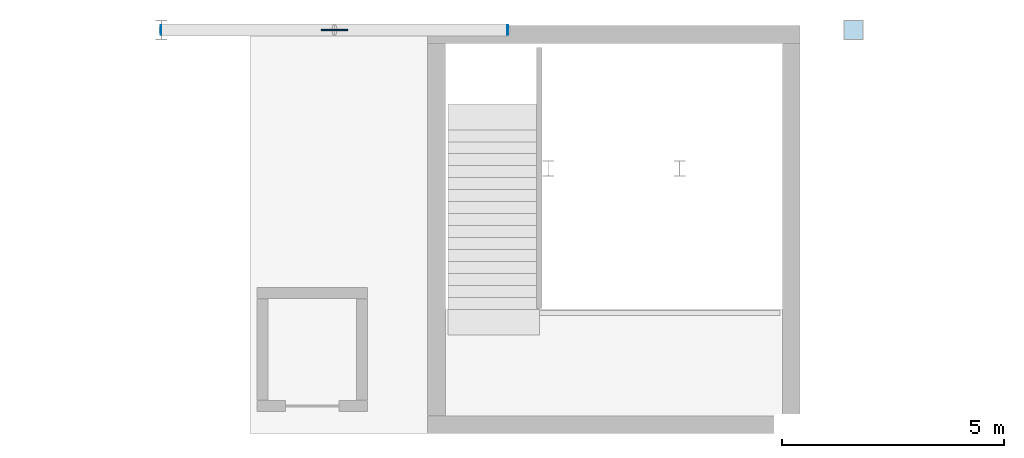
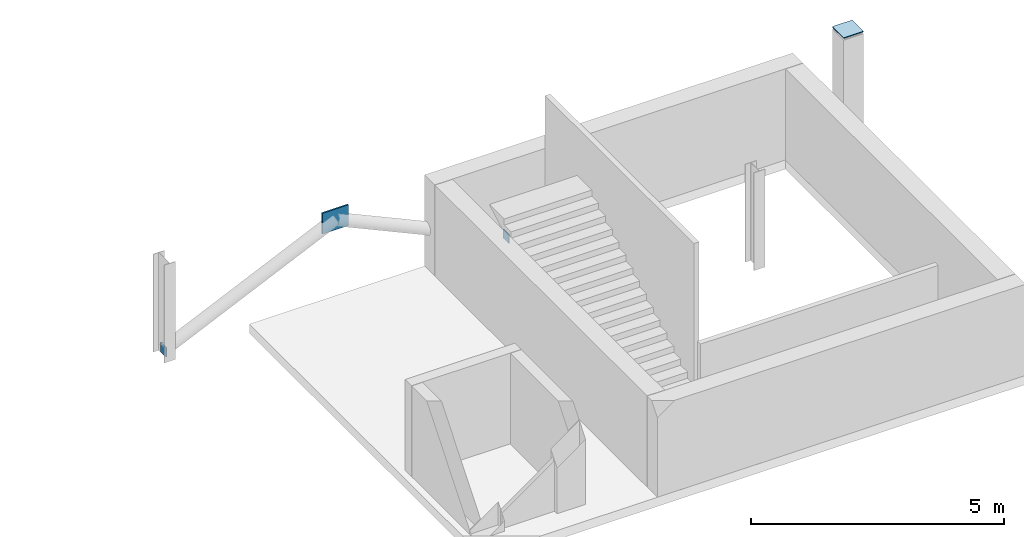
# One storey, part 10 of 12: 4 plates.
"""IFC4 building model written with IfcOpenShell, lengths in metres."""

from ifc_helpers import new_model, si_unit, derived_unit, direction, frame, origin, origin_2d, place, context, subcontext, project, spatial, rectangle, extrude, material, layer, layer_set, type_object, element, save


model = new_model("IFC4")

# Units and contexts
model_context = context("Model", 3, precision=1e-05, world=origin(), true_north=direction((0.0, 1.0)))
body_context = subcontext(model_context, "Body", "Model", "MODEL_VIEW")
ifc_project = project(units=[si_unit("LENGTHUNIT", "METRE"), si_unit("AREAUNIT", "SQUARE_METRE"), si_unit("VOLUMEUNIT", "CUBIC_METRE"), si_unit("PLANEANGLEUNIT", "RADIAN"), si_unit("MASSUNIT", "GRAM", prefix="KILO"), derived_unit("THERMALTRANSMITTANCEUNIT", [(si_unit("POWERUNIT", "WATT"), 1), (si_unit("LENGTHUNIT", "METRE"), -2), (si_unit("THERMODYNAMICTEMPERATUREUNIT", "KELVIN"), -1)])], contexts=[model_context])

# Site, building, storey
site_placement = place(None, origin())
site = spatial("IfcSite", under=ifc_project, at=site_placement, CompositionType="ELEMENT")
building_placement = place(site_placement, origin())
building = spatial("IfcBuilding", under=site, at=building_placement, Name="Nallur Shell Playhouse", CompositionType="ELEMENT")
storey_placement = place(building_placement, frame((0.0, 0.0, 28.800048828125)))
storey = spatial("IfcBuildingStorey", under=building, at=storey_placement, Name="RF1", CompositionType="ELEMENT", Elevation=28.800048828125)

# Plates
ifc_material = material(Name="Steel E350", Category="steel")
ifc_layer_1 = layer(ifc_material, 0.02001953125)
ifc_layer_set_1 = layer_set([ifc_layer_1], Name="Steel E350")
plate_type_1 = type_object("IfcPlateType", Name="PT-ENDCAP-20", PredefinedType="SHEET", material=ifc_layer_set_1)
plate_1_placement = place(storey_placement, frame((103.0, 83.0, 2.39990234375), z_axis=(0.0, 0.0, 1.0), x_axis=(1.0, 0.0, 0.0)))
element("IfcPlate", 1, at=plate_1_placement, inside=storey, type_object=plate_type_1, Name="Hollow end cap EC-COL-RF1-13-K", PredefinedType="SHEET", context=body_context, shape_type="SweptSolid", body=[
    extrude(rectangle(XDim=0.449951171875, YDim=0.449951171875, at=origin_2d()), origin(), (0.0, 0.0, 1.0), 0.02001953125),
])
for number, where, z_axis, x_axis, name in (
    (2, (87.390869140625, 83.0, 0.03564453125), (0.0, 0.0, 1.0), (1.0, 0.0, 0.0), "Hollow end cap EC-BR-FT-RF1-055-0"),
    (3, (95.208984375, 83.0, 0.03564453125), (0.0, 0.0, 1.0), (1.0, 0.0, 0.0), "Hollow end cap EC-BR-FT-RF1-056-0"),
):
    element("IfcPlate", number, at=place(storey_placement, frame(where, z_axis=z_axis, x_axis=x_axis)), inside=storey, type_object=plate_type_1, Name=name, PredefinedType="SHEET", context=body_context, shape_type="SweptSolid", body=[
        extrude(rectangle(XDim=0.02001953125, YDim=0.219970703125, at=origin_2d()), origin(), (0.0, 0.0, 1.0), 0.219970703125),
    ])
ifc_layer_2 = layer(ifc_material, 0.034912109375)
ifc_layer_set_2 = layer_set([ifc_layer_2], Name="Steel E350")
plate_type_2 = type_object("IfcPlateType", Name="PT-GUSSET-35", PredefinedType="USERDEFINED", material=ifc_layer_set_2)
plate_2_placement = place(storey_placement, frame((91.300048828125, 83.0, 1.679931640625), z_axis=(0.0, 0.0, 1.0), x_axis=(1.0, 0.0, 0.0)))
element("IfcPlate", 4, at=plate_2_placement, inside=storey, type_object=plate_type_2, Name="Fly tower chevron node gusset plate TN-02 (RF1)", ObjectType="GUSSET PLATE", PredefinedType="USERDEFINED", context=body_context, shape_type="SweptSolid", body=[
    extrude(rectangle(XDim=0.60009765625, YDim=0.034912109375, at=origin_2d()), origin(), (0.0, 0.0, 1.0), 0.5),
])

save(model, "model.ifc")
